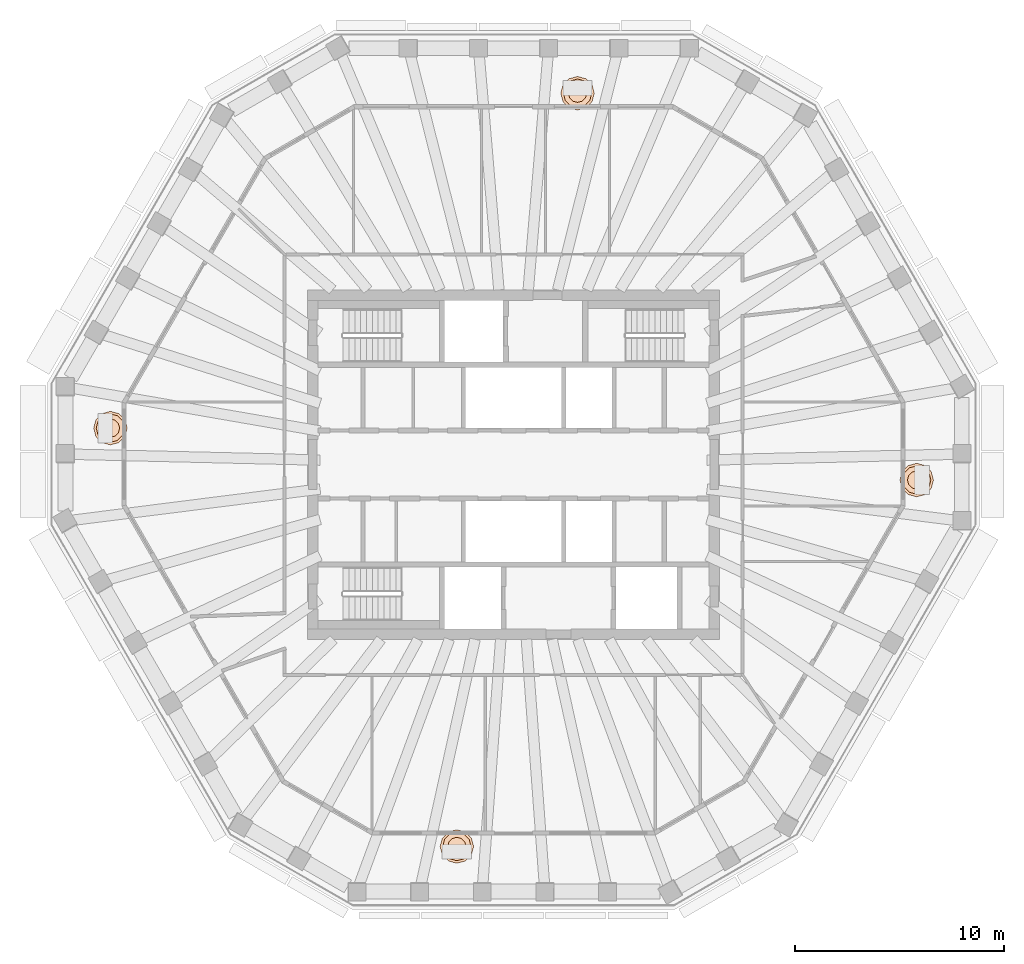
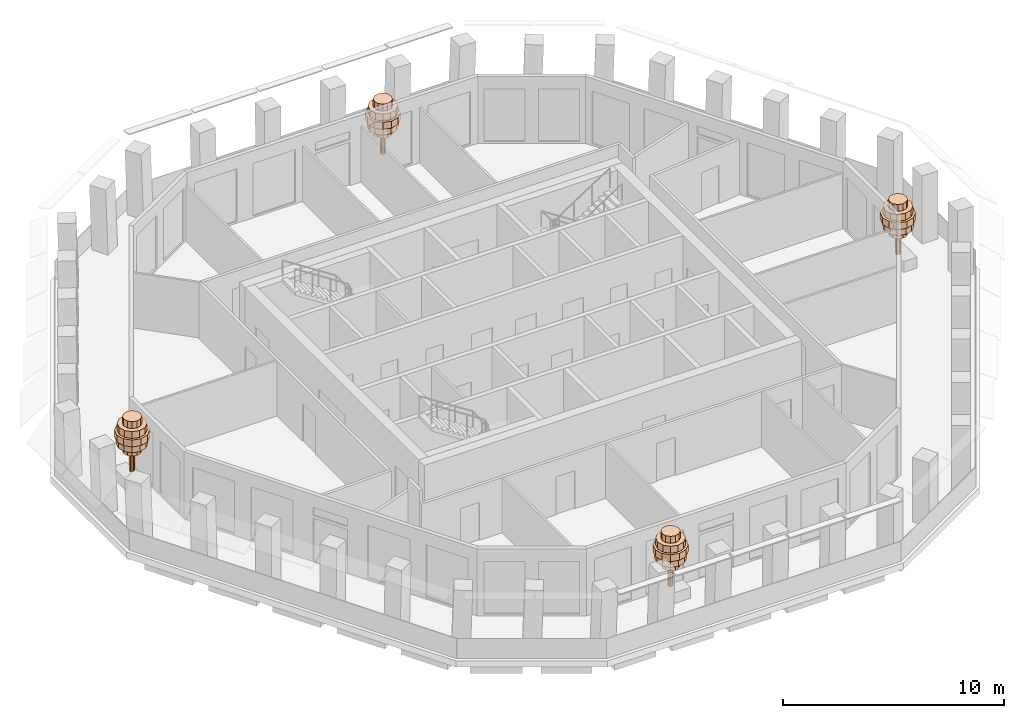
# One storey, part 11 of 11: 4 geographic elements.
"""IFC4 building model written with IfcOpenShell, lengths in metres."""

from ifc_helpers import new_model, si_unit, direction, frame, origin, place, context, subcontext, project, spatial, polyline, outline, extrude, material, type_object, element, save


model = new_model("IFC4")

# Units and contexts
model_context = context("Model", 3, precision=1e-05, world=origin(), true_north=direction((0.0, 1.0)))
body_context = subcontext(model_context, "Body", "Model", "MODEL_VIEW")
ifc_project = project(units=[si_unit("LENGTHUNIT", "METRE"), si_unit("AREAUNIT", "SQUARE_METRE"), si_unit("VOLUMEUNIT", "CUBIC_METRE"), si_unit("PLANEANGLEUNIT", "RADIAN"), si_unit("MASSUNIT", "GRAM", prefix="KILO")], contexts=[model_context])

# Site, building, storey
site_placement = place(None, origin())
site = spatial("IfcSite", under=ifc_project, at=site_placement, CompositionType="ELEMENT")
building_placement = place(site_placement, origin())
building = spatial("IfcBuilding", under=site, at=building_placement, Name="Frailejon Research Tower", CompositionType="ELEMENT")
storey_placement = place(building_placement, frame((0.0, 0.0, 324.60009765625)))
storey = spatial("IfcBuildingStorey", under=building, at=storey_placement, Name="L72", CompositionType="ELEMENT", Elevation=324.60009765625)

# Geographic elements
ifc_material = material(Name="Foliage, green")
geographic_element_type = type_object("IfcGeographicElementType", Name="Frailejon tree, loggia", PredefinedType="USERDEFINED", material=ifc_material)
geographic_element_1_placement = place(storey_placement, frame((19.267822265625, -0.738525390625, 0.599853515625)))
element("IfcGeographicElement", 1, at=geographic_element_1_placement, inside=storey, type_object=geographic_element_type, Name="Tree L72", ObjectType="TREE", PredefinedType="USERDEFINED", context=body_context, shape_type="SweptSolid", body=[
    extrude(outline(polyline([(0.1298828125, 0.0), (0.112548828125, 0.06494140625), (0.06494140625, 0.112548828125), (0.0, 0.1298828125), (-0.06494140625, 0.112548828125), (-0.112548828125, 0.06494140625), (-0.1298828125, 0.0), (-0.112548828125, -0.06494140625), (-0.06494140625, -0.112548828125), (0.0, -0.1298828125), (0.06494140625, -0.112548828125), (0.112548828125, -0.06494140625), (0.1298828125, 0.0)])), origin(), (0.0, 0.0, 1.0), 2.239990234375),
    extrude(outline(polyline([(0.43994140625, 0.0), (0.381103515625, 0.219970703125), (0.219970703125, 0.381103515625), (0.0, 0.43994140625), (-0.219970703125, 0.381103515625), (-0.381103515625, 0.219970703125), (-0.43994140625, 0.0), (-0.381103515625, -0.219970703125), (-0.219970703125, -0.381103515625), (0.0, -0.43994140625), (0.219970703125, -0.381103515625), (0.381103515625, -0.219970703125), (0.43994140625, 0.0)])), frame((0.0, 0.0, 1.10009765625)), (0.0, 0.0, 1.0), 0.3798828125),
    extrude(outline(polyline([(0.719970703125, 0.0), (0.62353515625, 0.360107421875), (0.360107421875, 0.62353515625), (0.0, 0.719970703125), (-0.360107421875, 0.62353515625), (-0.62353515625, 0.360107421875), (-0.719970703125, 0.0), (-0.62353515625, -0.360107421875), (-0.360107421875, -0.62353515625), (0.0, -0.719970703125), (0.360107421875, -0.62353515625), (0.62353515625, -0.360107421875), (0.719970703125, 0.0)])), frame((0.0, 0.0, 1.47998046875)), (0.0, 0.0, 1.0), 0.3798828125),
    extrude(outline(polyline([(0.800048828125, 0.0), (0.69287109375, 0.39990234375), (0.39990234375, 0.69287109375), (0.0, 0.800048828125), (-0.39990234375, 0.69287109375), (-0.69287109375, 0.39990234375), (-0.800048828125, 0.0), (-0.69287109375, -0.39990234375), (-0.39990234375, -0.69287109375), (0.0, -0.800048828125), (0.39990234375, -0.69287109375), (0.69287109375, -0.39990234375), (0.800048828125, 0.0)])), frame((0.0, 0.0, 1.860107421875)), (0.0, 0.0, 1.0), 0.3798828125),
    extrude(outline(polyline([(0.679931640625, 0.0), (0.5888671875, 0.340087890625), (0.340087890625, 0.5888671875), (0.0, 0.679931640625), (-0.340087890625, 0.5888671875), (-0.5888671875, 0.340087890625), (-0.679931640625, 0.0), (-0.5888671875, -0.340087890625), (-0.340087890625, -0.5888671875), (0.0, -0.679931640625), (0.340087890625, -0.5888671875), (0.5888671875, -0.340087890625), (0.679931640625, 0.0)])), frame((0.0, 0.0, 2.239990234375)), (0.0, 0.0, 1.0), 0.3798828125),
    extrude(outline(polyline([(0.43994140625, 0.0), (0.381103515625, 0.219970703125), (0.219970703125, 0.381103515625), (0.0, 0.43994140625), (-0.219970703125, 0.381103515625), (-0.381103515625, 0.219970703125), (-0.43994140625, 0.0), (-0.381103515625, -0.219970703125), (-0.219970703125, -0.381103515625), (0.0, -0.43994140625), (0.219970703125, -0.381103515625), (0.381103515625, -0.219970703125), (0.43994140625, 0.0)])), frame((0.0, 0.0, 2.6201171875)), (0.0, 0.0, 1.0), 0.3798828125),
])
geographic_element_2_placement = place(storey_placement, frame((3.0576171875, 17.75, 0.599853515625)))
element("IfcGeographicElement", 2, at=geographic_element_2_placement, inside=storey, type_object=geographic_element_type, Name="Tree L72", ObjectType="TREE", PredefinedType="USERDEFINED", context=body_context, shape_type="SweptSolid", body=[
    extrude(outline(polyline([(0.1298828125, 0.0), (0.112548828125, 0.06494140625), (0.06494140625, 0.112548828125), (0.0, 0.1298828125), (-0.06494140625, 0.112548828125), (-0.112548828125, 0.06494140625), (-0.1298828125, 0.0), (-0.112548828125, -0.06494140625), (-0.06494140625, -0.112548828125), (0.0, -0.1298828125), (0.06494140625, -0.112548828125), (0.112548828125, -0.06494140625), (0.1298828125, 0.0)])), origin(), (0.0, 0.0, 1.0), 2.239990234375),
    extrude(outline(polyline([(0.43994140625, 0.0), (0.381103515625, 0.219970703125), (0.219970703125, 0.381103515625), (0.0, 0.43994140625), (-0.219970703125, 0.381103515625), (-0.381103515625, 0.219970703125), (-0.43994140625, 0.0), (-0.381103515625, -0.219970703125), (-0.219970703125, -0.381103515625), (0.0, -0.43994140625), (0.219970703125, -0.381103515625), (0.381103515625, -0.219970703125), (0.43994140625, 0.0)])), frame((0.0, 0.0, 1.10009765625)), (0.0, 0.0, 1.0), 0.3798828125),
    extrude(outline(polyline([(0.719970703125, 0.0), (0.62353515625, 0.360107421875), (0.360107421875, 0.62353515625), (0.0, 0.719970703125), (-0.360107421875, 0.62353515625), (-0.62353515625, 0.360107421875), (-0.719970703125, 0.0), (-0.62353515625, -0.360107421875), (-0.360107421875, -0.62353515625), (0.0, -0.719970703125), (0.360107421875, -0.62353515625), (0.62353515625, -0.360107421875), (0.719970703125, 0.0)])), frame((0.0, 0.0, 1.47998046875)), (0.0, 0.0, 1.0), 0.3798828125),
    extrude(outline(polyline([(0.800048828125, 0.0), (0.69287109375, 0.39990234375), (0.39990234375, 0.69287109375), (0.0, 0.800048828125), (-0.39990234375, 0.69287109375), (-0.69287109375, 0.39990234375), (-0.800048828125, 0.0), (-0.69287109375, -0.39990234375), (-0.39990234375, -0.69287109375), (0.0, -0.800048828125), (0.39990234375, -0.69287109375), (0.69287109375, -0.39990234375), (0.800048828125, 0.0)])), frame((0.0, 0.0, 1.860107421875)), (0.0, 0.0, 1.0), 0.3798828125),
    extrude(outline(polyline([(0.679931640625, 0.0), (0.5888671875, 0.340087890625), (0.340087890625, 0.5888671875), (0.0, 0.679931640625), (-0.340087890625, 0.5888671875), (-0.5888671875, 0.340087890625), (-0.679931640625, 0.0), (-0.5888671875, -0.340087890625), (-0.340087890625, -0.5888671875), (0.0, -0.679931640625), (0.340087890625, -0.5888671875), (0.5888671875, -0.340087890625), (0.679931640625, 0.0)])), frame((0.0, 0.0, 2.239990234375)), (0.0, 0.0, 1.0), 0.3798828125),
    extrude(outline(polyline([(0.43994140625, 0.0), (0.381103515625, 0.219970703125), (0.219970703125, 0.381103515625), (0.0, 0.43994140625), (-0.219970703125, 0.381103515625), (-0.381103515625, 0.219970703125), (-0.43994140625, 0.0), (-0.381103515625, -0.219970703125), (-0.219970703125, -0.381103515625), (0.0, -0.43994140625), (0.219970703125, -0.381103515625), (0.381103515625, -0.219970703125), (0.43994140625, 0.0)])), frame((0.0, 0.0, 2.6201171875)), (0.0, 0.0, 1.0), 0.3798828125),
])
geographic_element_3_placement = place(storey_placement, frame((-19.267822265625, 1.744140625, 0.599853515625)))
element("IfcGeographicElement", 3, at=geographic_element_3_placement, inside=storey, type_object=geographic_element_type, Name="Tree L72", ObjectType="TREE", PredefinedType="USERDEFINED", context=body_context, shape_type="SweptSolid", body=[
    extrude(outline(polyline([(0.1298828125, 0.0), (0.112548828125, 0.06494140625), (0.06494140625, 0.112548828125), (0.0, 0.1298828125), (-0.06494140625, 0.112548828125), (-0.112548828125, 0.06494140625), (-0.1298828125, 0.0), (-0.112548828125, -0.06494140625), (-0.06494140625, -0.112548828125), (0.0, -0.1298828125), (0.06494140625, -0.112548828125), (0.112548828125, -0.06494140625), (0.1298828125, 0.0)])), origin(), (0.0, 0.0, 1.0), 2.239990234375),
    extrude(outline(polyline([(0.43994140625, 0.0), (0.381103515625, 0.219970703125), (0.219970703125, 0.381103515625), (0.0, 0.43994140625), (-0.219970703125, 0.381103515625), (-0.381103515625, 0.219970703125), (-0.43994140625, 0.0), (-0.381103515625, -0.219970703125), (-0.219970703125, -0.381103515625), (0.0, -0.43994140625), (0.219970703125, -0.381103515625), (0.381103515625, -0.219970703125), (0.43994140625, 0.0)])), frame((0.0, 0.0, 1.10009765625)), (0.0, 0.0, 1.0), 0.3798828125),
    extrude(outline(polyline([(0.719970703125, 0.0), (0.62353515625, 0.360107421875), (0.360107421875, 0.62353515625), (0.0, 0.719970703125), (-0.360107421875, 0.62353515625), (-0.62353515625, 0.360107421875), (-0.719970703125, 0.0), (-0.62353515625, -0.360107421875), (-0.360107421875, -0.62353515625), (0.0, -0.719970703125), (0.360107421875, -0.62353515625), (0.62353515625, -0.360107421875), (0.719970703125, 0.0)])), frame((0.0, 0.0, 1.47998046875)), (0.0, 0.0, 1.0), 0.3798828125),
    extrude(outline(polyline([(0.800048828125, 0.0), (0.69287109375, 0.39990234375), (0.39990234375, 0.69287109375), (0.0, 0.800048828125), (-0.39990234375, 0.69287109375), (-0.69287109375, 0.39990234375), (-0.800048828125, 0.0), (-0.69287109375, -0.39990234375), (-0.39990234375, -0.69287109375), (0.0, -0.800048828125), (0.39990234375, -0.69287109375), (0.69287109375, -0.39990234375), (0.800048828125, 0.0)])), frame((0.0, 0.0, 1.860107421875)), (0.0, 0.0, 1.0), 0.3798828125),
    extrude(outline(polyline([(0.679931640625, 0.0), (0.5888671875, 0.340087890625), (0.340087890625, 0.5888671875), (0.0, 0.679931640625), (-0.340087890625, 0.5888671875), (-0.5888671875, 0.340087890625), (-0.679931640625, 0.0), (-0.5888671875, -0.340087890625), (-0.340087890625, -0.5888671875), (0.0, -0.679931640625), (0.340087890625, -0.5888671875), (0.5888671875, -0.340087890625), (0.679931640625, 0.0)])), frame((0.0, 0.0, 2.239990234375)), (0.0, 0.0, 1.0), 0.3798828125),
    extrude(outline(polyline([(0.43994140625, 0.0), (0.381103515625, 0.219970703125), (0.219970703125, 0.381103515625), (0.0, 0.43994140625), (-0.219970703125, 0.381103515625), (-0.381103515625, 0.219970703125), (-0.43994140625, 0.0), (-0.381103515625, -0.219970703125), (-0.219970703125, -0.381103515625), (0.0, -0.43994140625), (0.219970703125, -0.381103515625), (0.381103515625, -0.219970703125), (0.43994140625, 0.0)])), frame((0.0, 0.0, 2.6201171875)), (0.0, 0.0, 1.0), 0.3798828125),
])
geographic_element_4_placement = place(storey_placement, frame((-2.70947265625, -18.252685546875, 0.599853515625)))
element("IfcGeographicElement", 4, at=geographic_element_4_placement, inside=storey, type_object=geographic_element_type, Name="Tree L72", ObjectType="TREE", PredefinedType="USERDEFINED", context=body_context, shape_type="SweptSolid", body=[
    extrude(outline(polyline([(0.1298828125, 0.0), (0.112548828125, 0.06494140625), (0.06494140625, 0.112548828125), (0.0, 0.1298828125), (-0.06494140625, 0.112548828125), (-0.112548828125, 0.06494140625), (-0.1298828125, 0.0), (-0.112548828125, -0.06494140625), (-0.06494140625, -0.112548828125), (0.0, -0.1298828125), (0.06494140625, -0.112548828125), (0.112548828125, -0.06494140625), (0.1298828125, 0.0)])), origin(), (0.0, 0.0, 1.0), 2.239990234375),
    extrude(outline(polyline([(0.43994140625, 0.0), (0.381103515625, 0.219970703125), (0.219970703125, 0.381103515625), (0.0, 0.43994140625), (-0.219970703125, 0.381103515625), (-0.381103515625, 0.219970703125), (-0.43994140625, 0.0), (-0.381103515625, -0.219970703125), (-0.219970703125, -0.381103515625), (0.0, -0.43994140625), (0.219970703125, -0.381103515625), (0.381103515625, -0.219970703125), (0.43994140625, 0.0)])), frame((0.0, 0.0, 1.10009765625)), (0.0, 0.0, 1.0), 0.3798828125),
    extrude(outline(polyline([(0.719970703125, 0.0), (0.62353515625, 0.360107421875), (0.360107421875, 0.62353515625), (0.0, 0.719970703125), (-0.360107421875, 0.62353515625), (-0.62353515625, 0.360107421875), (-0.719970703125, 0.0), (-0.62353515625, -0.360107421875), (-0.360107421875, -0.62353515625), (0.0, -0.719970703125), (0.360107421875, -0.62353515625), (0.62353515625, -0.360107421875), (0.719970703125, 0.0)])), frame((0.0, 0.0, 1.47998046875)), (0.0, 0.0, 1.0), 0.3798828125),
    extrude(outline(polyline([(0.800048828125, 0.0), (0.69287109375, 0.39990234375), (0.39990234375, 0.69287109375), (0.0, 0.800048828125), (-0.39990234375, 0.69287109375), (-0.69287109375, 0.39990234375), (-0.800048828125, 0.0), (-0.69287109375, -0.39990234375), (-0.39990234375, -0.69287109375), (0.0, -0.800048828125), (0.39990234375, -0.69287109375), (0.69287109375, -0.39990234375), (0.800048828125, 0.0)])), frame((0.0, 0.0, 1.860107421875)), (0.0, 0.0, 1.0), 0.3798828125),
    extrude(outline(polyline([(0.679931640625, 0.0), (0.5888671875, 0.340087890625), (0.340087890625, 0.5888671875), (0.0, 0.679931640625), (-0.340087890625, 0.5888671875), (-0.5888671875, 0.340087890625), (-0.679931640625, 0.0), (-0.5888671875, -0.340087890625), (-0.340087890625, -0.5888671875), (0.0, -0.679931640625), (0.340087890625, -0.5888671875), (0.5888671875, -0.340087890625), (0.679931640625, 0.0)])), frame((0.0, 0.0, 2.239990234375)), (0.0, 0.0, 1.0), 0.3798828125),
    extrude(outline(polyline([(0.43994140625, 0.0), (0.381103515625, 0.219970703125), (0.219970703125, 0.381103515625), (0.0, 0.43994140625), (-0.219970703125, 0.381103515625), (-0.381103515625, 0.219970703125), (-0.43994140625, 0.0), (-0.381103515625, -0.219970703125), (-0.219970703125, -0.381103515625), (0.0, -0.43994140625), (0.219970703125, -0.381103515625), (0.381103515625, -0.219970703125), (0.43994140625, 0.0)])), frame((0.0, 0.0, 2.6201171875)), (0.0, 0.0, 1.0), 0.3798828125),
])

save(model, "model.ifc")
